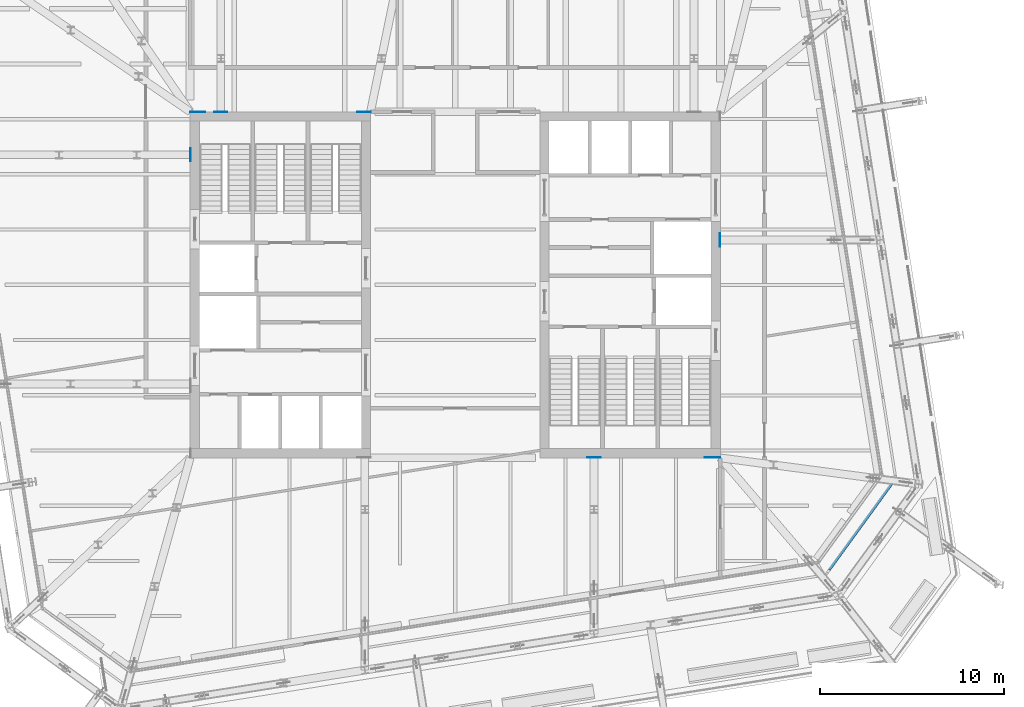
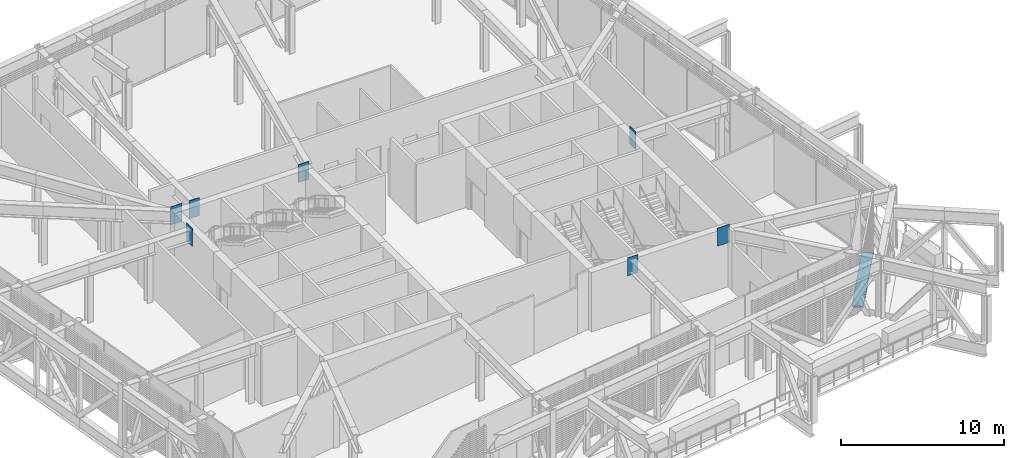
# One storey, part 26 of 35: 8 discrete accessories.
"""IFC4 building model written with IfcOpenShell, lengths in metres."""

from ifc_helpers import new_model, si_unit, direction, frame, origin, origin_2d, place, context, subcontext, project, spatial, rectangle, extrude, material, layer, layer_set, type_object, element, save


model = new_model("IFC4")

# Units and contexts
model_context = context("Model", 3, precision=1e-05, world=origin(), true_north=direction((0.0, 1.0)))
body_context = subcontext(model_context, "Body", "Model", "MODEL_VIEW")
ifc_project = project(units=[si_unit("LENGTHUNIT", "METRE"), si_unit("AREAUNIT", "SQUARE_METRE"), si_unit("VOLUMEUNIT", "CUBIC_METRE"), si_unit("PLANEANGLEUNIT", "RADIAN"), si_unit("MASSUNIT", "GRAM", prefix="KILO")], contexts=[model_context])

# Site, building, storey
site_placement = place(None, origin())
site = spatial("IfcSite", under=ifc_project, at=site_placement, CompositionType="ELEMENT")
building_placement = place(site_placement, origin())
building = spatial("IfcBuilding", under=site, at=building_placement, Name="Millrace Tower", CompositionType="ELEMENT")
storey_placement = place(building_placement, frame((0.0, 0.0, 200.10009765625)))
storey = spatial("IfcBuildingStorey", under=building, at=storey_placement, Name="L45", CompositionType="ELEMENT", Elevation=200.10009765625)

# Discrete accessories
ifc_material_1 = material(Name="Steel ASTM A572 Grade 50", Category="steel")
ifc_layer_1 = layer(ifc_material_1, 0.034912109375)
ifc_layer_set_1 = layer_set([ifc_layer_1], Name="Steel ASTM A572 Grade 50")
discrete_accessory_type_1 = type_object("IfcDiscreteAccessoryType", Name="Cast-in anchor plate 725x1350x35", PredefinedType="ANCHORPLATE", material=ifc_layer_set_1)
for number, where, z_axis, x_axis, name in (
    (1, (7.533203125, -9.364990234375, 3.96630859375), (0.0, -1.0, 0.0), (1.0, 0.0, 0.0), "Cast-in anchor plate TRS-L45-C04-T03"),
    (2, (14.364990234375, 2.4384765625, 3.96630859375), (1.0, 0.0, 0.0), (0.0, 1.0, 0.0), "Cast-in anchor plate TRS-L45-C07-T02"),
    (3, (-12.7333984375, 9.364990234375, 3.96630859375), (0.0, 1.0, 0.0), (-1.0, 0.0, 0.0), "Cast-in anchor plate TRS-L45-C12-T05"),
    (4, (-14.364990234375, 7.0615234375, 3.96630859375), (-1.0, 0.0, 0.0), (0.0, -1.0, 0.0), "Cast-in anchor plate TRS-L45-C15-T04"),
):
    element("IfcDiscreteAccessory", number, at=place(storey_placement, frame(where, z_axis=z_axis, x_axis=x_axis)), inside=storey, type_object=discrete_accessory_type_1, Name=name, PredefinedType="ANCHORPLATE", context=body_context, shape_type="SweptSolid", body=[
        extrude(rectangle(XDim=0.72509765625, YDim=1.35009765625, at=origin_2d()), origin(), (0.0, 0.0, 1.0), 0.034912109375),
    ])
ifc_material_2 = material(Name="Steel ASTM A572 Grade 50", Category="steel")
ifc_layer_2 = layer(ifc_material_2, 0.034912109375)
ifc_layer_set_2 = layer_set([ifc_layer_2], Name="Steel ASTM A572 Grade 50")
discrete_accessory_type_2 = type_object("IfcDiscreteAccessoryType", Name="Cast-in anchor plate 735x1350x35", PredefinedType="ANCHORPLATE", material=ifc_layer_set_2)
discrete_accessory_1_placement = place(storey_placement, frame((-4.967529296875, 9.364990234375, 3.96630859375), z_axis=(0.0, 1.0, 0.0), x_axis=(-1.0, 0.0, 0.0)))
element("IfcDiscreteAccessory", 5, at=discrete_accessory_1_placement, inside=storey, type_object=discrete_accessory_type_2, Name="Cast-in anchor plate TRS-L45-C11-T05", PredefinedType="ANCHORPLATE", context=body_context, shape_type="SweptSolid", body=[
    extrude(rectangle(XDim=0.735107421875, YDim=1.35009765625, at=origin_2d()), origin(), (0.0, 0.0, 1.0), 0.034912109375),
])
ifc_material_3 = material(Name="Steel ASTM A572 Grade 50", Category="steel")
ifc_layer_3 = layer(ifc_material_3, 0.034912109375)
ifc_layer_set_3 = layer_set([ifc_layer_3], Name="Steel ASTM A572 Grade 50")
discrete_accessory_type_3 = type_object("IfcDiscreteAccessoryType", Name="Cast-in anchor plate 815x1350x35", PredefinedType="ANCHORPLATE", material=ifc_layer_set_3)
discrete_accessory_2_placement = place(storey_placement, frame((-13.992431640625, 9.364990234375, 3.96630859375), z_axis=(0.0, 1.0, 0.0), x_axis=(-1.0, 0.0, 0.0)))
element("IfcDiscreteAccessory", 6, at=discrete_accessory_2_placement, inside=storey, type_object=discrete_accessory_type_3, Name="Cast-in anchor plate TRS-L45-C13-T05", PredefinedType="ANCHORPLATE", context=body_context, shape_type="SweptSolid", body=[
    extrude(rectangle(XDim=0.81494140625, YDim=1.35009765625, at=origin_2d()), origin(), (0.0, 0.0, 1.0), 0.034912109375),
])
ifc_material_4 = material(Name="Steel ASTM A572 Grade 50", Category="steel")
ifc_layer_4 = layer(ifc_material_4, 0.034912109375)
ifc_layer_set_4 = layer_set([ifc_layer_4], Name="Steel ASTM A572 Grade 50")
discrete_accessory_type_4 = type_object("IfcDiscreteAccessoryType", Name="Cast-in anchor plate 860x1350x35", PredefinedType="ANCHORPLATE", material=ifc_layer_set_4)
discrete_accessory_3_placement = place(storey_placement, frame((13.969970703125, -9.364990234375, 3.96630859375), z_axis=(0.0, -1.0, 0.0), x_axis=(1.0, 0.0, 0.0)))
element("IfcDiscreteAccessory", 7, at=discrete_accessory_3_placement, inside=storey, type_object=discrete_accessory_type_4, Name="Cast-in anchor plate TRS-L45-C05-T02", PredefinedType="ANCHORPLATE", context=body_context, shape_type="SweptSolid", body=[
    extrude(rectangle(XDim=0.860107421875, YDim=1.35009765625, at=origin_2d()), origin(), (0.0, 0.0, 1.0), 0.034912109375),
])
ifc_material_5 = material(Name="Stainless steel ASTM A240 type 316", Category="steel")
discrete_accessory_type_5 = type_object("IfcDiscreteAccessoryType", Name="Thermally broken screen support rail", PredefinedType="BRACKET", material=ifc_material_5)
discrete_accessory_4_placement = place(storey_placement, frame((21.781982421875, -12.964599609375, -0.000244140625), z_axis=(0.0, 0.0, 1.0), x_axis=(0.587785305991, 0.809016955361, 0.0)))
element("IfcDiscreteAccessory", 8, at=discrete_accessory_4_placement, inside=storey, type_object=discrete_accessory_type_5, Name="Thermally broken screen support rail D-F03 L45 1", PredefinedType="BRACKET", context=body_context, shape_type="SweptSolid", body=[
    extrude(rectangle(XDim=5.79833984375, YDim=0.719970703125, at=origin_2d()), origin(), (0.0, 0.0, 1.0), 0.10009765625),
])

save(model, "model.ifc")
